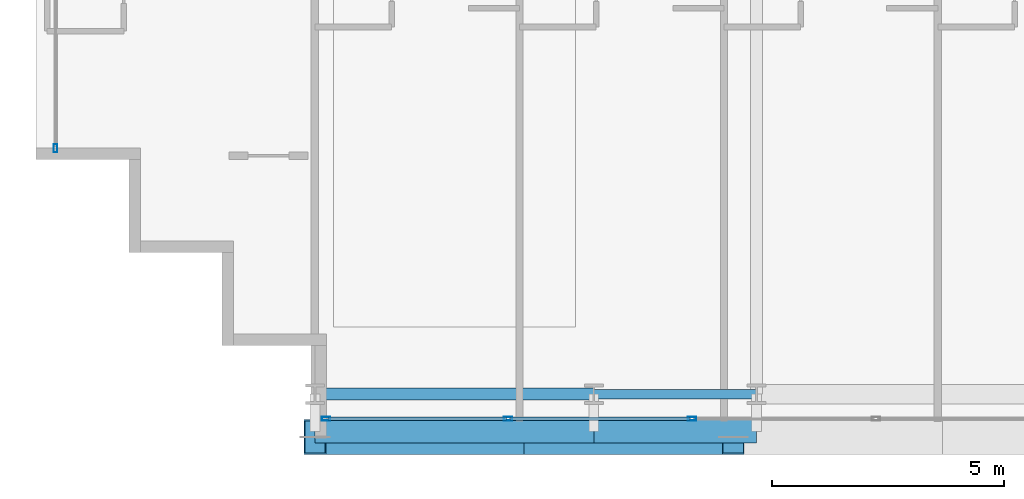
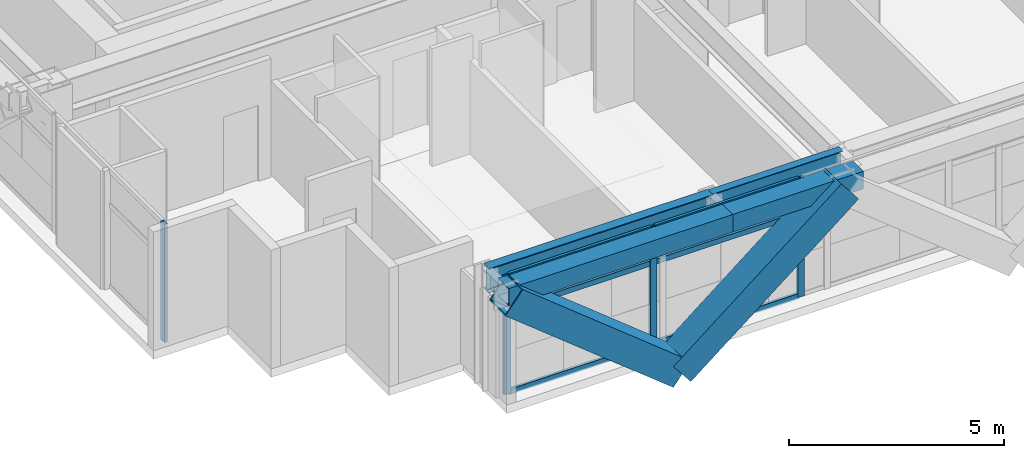
# One storey, part 2 of 35: 12 members, 4 beams, 2 elements without a shape of their own.
"""IFC4 building model written with IfcOpenShell, lengths in metres."""

from ifc_helpers import new_model, si_unit, direction, frame, origin, origin_2d, place, context, subcontext, project, spatial, hollow_rectangle, i_section, extrude, source, transform, mapped, material, layer, layer_set, material_profile, profile_set, type_object, element, aggregate, save


model = new_model("IFC4")

# Units and contexts
model_context = context("Model", 3, precision=1e-05, world=origin(), true_north=direction((0.0, 1.0)))
body_context = subcontext(model_context, "Body", "Model", "MODEL_VIEW")
ifc_project = project(units=[si_unit("LENGTHUNIT", "METRE"), si_unit("AREAUNIT", "SQUARE_METRE"), si_unit("VOLUMEUNIT", "CUBIC_METRE"), si_unit("PLANEANGLEUNIT", "RADIAN"), si_unit("MASSUNIT", "GRAM", prefix="KILO")], contexts=[model_context])

# Site, building, storey
site_placement = place(None, origin())
site = spatial("IfcSite", under=ifc_project, at=site_placement, CompositionType="ELEMENT")
building_placement = place(site_placement, origin())
building = spatial("IfcBuilding", under=site, at=building_placement, Name="Ocotamira Hotel", CompositionType="ELEMENT")
storey_placement = place(building_placement, frame((0.0, 0.0, 100.800048828125)))
storey = spatial("IfcBuildingStorey", under=building, at=storey_placement, Name="L24", CompositionType="ELEMENT", Elevation=100.800048828125)

# Beams
ifc_material_1 = material(Name="Steel ASTM A992 Grade 50", Category="steel")
ifc_material_profile_1 = material_profile(ifc_material_1, i_section(OverallWidth=0.256103515625, OverallDepth=0.693115234375, WebThickness=0.014404296875, FlangeThickness=0.023681640625, FilletRadius=0.01611328125, at=origin_2d()), Name="W27X114")
ifc_profile_set_1 = profile_set([ifc_material_profile_1], Name="Steel ASTM A992 Grade 50")
beam_type_1 = type_object("IfcBeamType", Name="BM-PRIM-W27X114", PredefinedType="BEAM", material=ifc_profile_set_1)
shared_shape_1 = source(origin(), body_context, "Body", "SweptSolid", [
    extrude(i_section(OverallWidth=0.256103515625, OverallDepth=0.693115234375, WebThickness=0.014404296875, FlangeThickness=0.023681640625, FilletRadius=0.01611328125, at=origin_2d()), origin(), (0.0, 0.0, 1.0), 6.0),
])
beam_1_placement = place(storey_placement, frame((14.0, 2.949951171875, 3.013427734375), z_axis=(1.0, 0.0, 0.0), x_axis=(0.0, 1.0, 0.0)))
element("IfcBeam", 1, at=beam_1_placement, inside=storey, type_object=beam_type_1, Name="L24 Girder Y2.95 X14-20", PredefinedType="BEAM", context=body_context, shape_type="MappedRepresentation", body=[
    mapped(shared_shape_1, transform((0.0, 0.0, 0.0), scale=1.0)),
])
ifc_material_profile_2 = material_profile(ifc_material_1, i_section(OverallWidth=0.2099609375, OverallDepth=0.537109375, WebThickness=0.010986328125, FlangeThickness=0.017333984375, FilletRadius=0.012939453125, at=origin_2d()), Name="W21X68")
ifc_profile_set_2 = profile_set([ifc_material_profile_2], Name="Steel ASTM A992 Grade 50")
beam_type_2 = type_object("IfcBeamType", Name="BM-SEC-W21X68", PredefinedType="JOIST", material=ifc_profile_set_2)
shared_shape_2 = source(origin(), body_context, "Body", "SweptSolid", [
    extrude(i_section(OverallWidth=0.2099609375, OverallDepth=0.537109375, WebThickness=0.010986328125, FlangeThickness=0.017333984375, FilletRadius=0.012939453125, at=origin_2d()), origin(), (0.0, 0.0, 1.0), 3.5),
])
beam_2_placement = place(storey_placement, frame((20.0, 2.949951171875, 3.091552734375), z_axis=(1.0, 0.0, 0.0), x_axis=(0.0, 1.0, 0.0)))
element("IfcBeam", 2, at=beam_2_placement, inside=storey, type_object=beam_type_2, Name="L24 Girder Y2.95 X20-23.5", PredefinedType="JOIST", context=body_context, shape_type="MappedRepresentation", body=[
    mapped(shared_shape_2, transform((0.0, 0.0, 0.0), scale=1.0)),
])
ifc_material_2 = material(Name="Steel ASTM A500 Grade C", Category="steel")
ifc_material_profile_3 = material_profile(ifc_material_2, hollow_rectangle(XDim=0.5, YDim=0.5, WallThickness=0.02001953125, at=origin_2d()), Name="HSS500X500X20")
ifc_profile_set_3 = profile_set([ifc_material_profile_3], Name="Steel ASTM A500 Grade C")
beam_type_3 = type_object("IfcBeamType", Name="BM-SPAN-HSS500", PredefinedType="USERDEFINED", material=ifc_profile_set_3)
shared_shape_3 = source(origin(), body_context, "Body", "SweptSolid", [
    extrude(hollow_rectangle(XDim=0.5, YDim=0.5, WallThickness=0.02001953125, at=origin_2d()), origin(), (0.0, 0.0, 1.0), 6.0),
])
beam_3_placement = place(storey_placement, frame((14.0, 2.14990234375, 3.10986328125), z_axis=(1.0, 0.0, 0.0), x_axis=(0.0, 1.0, 0.0)))
element("IfcBeam", 3, at=beam_3_placement, inside=storey, type_object=beam_type_3, Name="L24 Edge Spandrel S X14-20", ObjectType="SPANDREL", PredefinedType="USERDEFINED", context=body_context, shape_type="MappedRepresentation", body=[
    mapped(shared_shape_3, transform((0.0, 0.0, 0.0), scale=1.0)),
])
shared_shape_4 = source(origin(), body_context, "Body", "SweptSolid", [
    extrude(hollow_rectangle(XDim=0.5, YDim=0.5, WallThickness=0.02001953125, at=origin_2d()), origin(), (0.0, 0.0, 1.0), 3.5),
])
beam_4_placement = place(storey_placement, frame((20.0, 2.14990234375, 3.10986328125), z_axis=(1.0, 0.0, 0.0), x_axis=(0.0, 1.0, 0.0)))
element("IfcBeam", 4, at=beam_4_placement, inside=storey, type_object=beam_type_3, Name="L24 Edge Spandrel S X20-23.5", ObjectType="SPANDREL", PredefinedType="USERDEFINED", context=body_context, shape_type="MappedRepresentation", body=[
    mapped(shared_shape_4, transform((0.0, 0.0, 0.0), scale=1.0)),
])

# Members
ifc_material_3 = material(Name="Pale-metal coated steel ASTM A913 Grade 65", Category="steel")
ifc_material_profile_4 = material_profile(ifc_material_3, hollow_rectangle(XDim=0.75, YDim=0.75, WallThickness=0.028076171875, at=origin_2d()), Name="BOX750X750X28")
ifc_profile_set_4 = profile_set([ifc_material_profile_4], Name="Pale-metal coated steel ASTM A913 Grade 65")
member_type_1 = type_object("IfcMemberType", Name="MEM-EXO-BOX750", PredefinedType="BRACE", material=ifc_profile_set_4)
shared_shape_5 = source(origin(), body_context, "Body", "SweptSolid", [
    extrude(hollow_rectangle(XDim=0.75, YDim=0.75, WallThickness=0.028076171875, at=origin_2d()), origin(), (0.0, 0.0, 1.0), 5.7626953125),
])
for number, where, z_axis, x_axis, name in (
    (5, (18.5, 2.030029296875, -0.489990234375), (-0.780881208953, 0.0, 0.624679547852), (0.0, -1.0, 0.0), "L24 Exoskeleton Diagrid S0.1"),
    (6, (18.5, 2.030029296875, -0.489990234375), (0.780881208953, 0.0, 0.624679547852), (0.0, 1.0, 0.0), "L24 Exoskeleton Diagrid S0.2"),
):
    element("IfcMember", number, at=place(storey_placement, frame(where, z_axis=z_axis, x_axis=x_axis)), inside=storey, type_object=member_type_1, Name=name, PredefinedType="BRACE", context=body_context, shape_type="MappedRepresentation", body=[
        mapped(shared_shape_5, transform((0.0, 0.0, 0.0), scale=1.0)),
    ])

# Curtain wall, members
ifc_material_4 = material(Name="Anodised pale-metal aluminium and solar glass", Category="aluminium")
ifc_layer = layer(ifc_material_4, 0.179931640625)
ifc_layer_set = layer_set([ifc_layer], Name="Anodised pale-metal aluminium and solar glass")
curtain_wall_type = type_object("IfcCurtainWallType", Name="CW-SYS3-Z2", PredefinedType="NOTDEFINED", material=ifc_layer_set)
curtain_wall_1_placement = place(storey_placement, origin())
curtain_wall_1 = element("IfcCurtainWall", 7, at=curtain_wall_1_placement, inside=storey, type_object=curtain_wall_type, Name="L24 Curtain Wall CW-3 CW-L24-S1", PredefinedType="NOTDEFINED")
ifc_material_5 = material(Name="Anodised pale-metal aluminium 6063-T6", Category="aluminium")
ifc_material_profile_5 = material_profile(ifc_material_5, hollow_rectangle(XDim=0.074951171875, YDim=0.14990234375, WallThickness=0.006103515625, at=origin_2d()), Name="HSS150X75X6")
ifc_profile_set_5 = profile_set([ifc_material_profile_5], Name="Anodised pale-metal aluminium 6063-T6")
member_type_2 = type_object("IfcMemberType", Name="CWT-150X75", PredefinedType="USERDEFINED", material=ifc_profile_set_5)
shared_shape_6 = source(origin(), body_context, "Body", "SweptSolid", [
    extrude(hollow_rectangle(XDim=0.074951171875, YDim=0.14990234375, WallThickness=0.006103515625, at=origin_2d()), origin(), (0.0, 0.0, 1.0), 3.83544921875),
])
member_1_placement = place(storey_placement, frame((14.280029296875, 2.419921875, 0.037353515625), z_axis=(1.0, 0.0, 0.0), x_axis=(0.0, 1.0, 0.0)))
member_1 = element("IfcMember", 8, at=member_1_placement, type_object=member_type_2, Name="CW-3 transom 1.1", ObjectType="TRANSOM", PredefinedType="USERDEFINED", context=body_context, shape_type="MappedRepresentation", body=[
    mapped(shared_shape_6, transform((0.0, 0.0, 0.0), scale=1.0)),
])
member_2_placement = place(storey_placement, frame((14.280029296875, 2.419921875, 2.349853515625), z_axis=(1.0, 0.0, 0.0), x_axis=(0.0, 1.0, 0.0)))
member_2 = element("IfcMember", 9, at=member_2_placement, type_object=member_type_2, Name="CW-3 transom 1.2", ObjectType="TRANSOM", PredefinedType="USERDEFINED", context=body_context, shape_type="MappedRepresentation", body=[
    mapped(shared_shape_6, transform((0.0, 0.0, 0.0), scale=1.0)),
])
member_3_placement = place(storey_placement, frame((14.280029296875, 2.419921875, 3.322509765625), z_axis=(1.0, 0.0, 0.0), x_axis=(0.0, 1.0, 0.0)))
member_3 = element("IfcMember", 10, at=member_3_placement, type_object=member_type_2, Name="CW-3 transom 1.3", ObjectType="TRANSOM", PredefinedType="USERDEFINED", context=body_context, shape_type="MappedRepresentation", body=[
    mapped(shared_shape_6, transform((0.0, 0.0, 0.0), scale=1.0)),
])
shared_shape_7 = source(origin(), body_context, "Body", "SweptSolid", [
    extrude(hollow_rectangle(XDim=0.074951171875, YDim=0.14990234375, WallThickness=0.006103515625, at=origin_2d()), origin(), (0.0, 0.0, 1.0), 3.87548828125),
])
member_4_placement = place(storey_placement, frame((18.195556640625, 2.419921875, 0.037353515625), z_axis=(1.0, 0.0, 0.0), x_axis=(0.0, 1.0, 0.0)))
member_4 = element("IfcMember", 11, at=member_4_placement, type_object=member_type_2, Name="CW-3 transom 2.1", ObjectType="TRANSOM", PredefinedType="USERDEFINED", context=body_context, shape_type="MappedRepresentation", body=[
    mapped(shared_shape_7, transform((0.0, 0.0, 0.0), scale=1.0)),
])
member_5_placement = place(storey_placement, frame((18.195556640625, 2.419921875, 2.349853515625), z_axis=(1.0, 0.0, 0.0), x_axis=(0.0, 1.0, 0.0)))
member_5 = element("IfcMember", 12, at=member_5_placement, type_object=member_type_2, Name="CW-3 transom 2.2", ObjectType="TRANSOM", PredefinedType="USERDEFINED", context=body_context, shape_type="MappedRepresentation", body=[
    mapped(shared_shape_7, transform((0.0, 0.0, 0.0), scale=1.0)),
])
member_6_placement = place(storey_placement, frame((18.195556640625, 2.419921875, 3.322509765625), z_axis=(1.0, 0.0, 0.0), x_axis=(0.0, 1.0, 0.0)))
member_6 = element("IfcMember", 13, at=member_6_placement, type_object=member_type_2, Name="CW-3 transom 2.3", ObjectType="TRANSOM", PredefinedType="USERDEFINED", context=body_context, shape_type="MappedRepresentation", body=[
    mapped(shared_shape_7, transform((0.0, 0.0, 0.0), scale=1.0)),
])
ifc_material_profile_6 = material_profile(ifc_material_5, hollow_rectangle(XDim=0.080078125, YDim=0.179931640625, WallThickness=0.006103515625, at=origin_2d()), Name="HSS180X80X6")
ifc_profile_set_6 = profile_set([ifc_material_profile_6], Name="Anodised pale-metal aluminium 6063-T6")
member_type_3 = type_object("IfcMemberType", Name="CWM-180X75", PredefinedType="MULLION", material=ifc_profile_set_6)
shared_shape_8 = source(origin(), body_context, "Body", "SweptSolid", [
    extrude(hollow_rectangle(XDim=0.080078125, YDim=0.179931640625, WallThickness=0.006103515625, at=origin_2d()), origin(), (0.0, 0.0, 1.0), 3.35986328125),
])
member_7_placement = place(storey_placement, frame((14.239990234375, 2.419921875, 0.0), z_axis=(0.0, 0.0, 1.0), x_axis=(0.0, 1.0, 0.0)))
member_7 = element("IfcMember", 14, at=member_7_placement, type_object=member_type_3, Name="CW-3 mullion 1", PredefinedType="MULLION", context=body_context, shape_type="MappedRepresentation", body=[
    mapped(shared_shape_8, transform((0.0, 0.0, 0.0), scale=1.0)),
])
member_8_placement = place(storey_placement, frame((18.155517578125, 2.419921875, 0.0), z_axis=(0.0, 0.0, 1.0), x_axis=(0.0, 1.0, 0.0)))
member_8 = element("IfcMember", 15, at=member_8_placement, type_object=member_type_3, Name="CW-3 mullion 2", PredefinedType="MULLION", context=body_context, shape_type="MappedRepresentation", body=[
    mapped(shared_shape_8, transform((0.0, 0.0, 0.0), scale=1.0)),
])
member_9_placement = place(storey_placement, frame((22.111083984375, 2.419921875, 0.0), z_axis=(0.0, 0.0, 1.0), x_axis=(0.0, 1.0, 0.0)))
member_9 = element("IfcMember", 16, at=member_9_placement, type_object=member_type_3, Name="CW-3 mullion 3", PredefinedType="MULLION", context=body_context, shape_type="MappedRepresentation", body=[
    mapped(shared_shape_8, transform((0.0, 0.0, 0.0), scale=1.0)),
])
aggregate(curtain_wall_1, [member_7, member_8, member_9, member_1, member_2, member_3, member_4, member_5, member_6])

# Curtain wall, member
curtain_wall_2_placement = place(storey_placement, origin())
curtain_wall_2 = element("IfcCurtainWall", 17, at=curtain_wall_2_placement, inside=storey, type_object=curtain_wall_type, Name="L24 Curtain Wall CW-3 CW-L24-W", PredefinedType="NOTDEFINED")
member_10_placement = place(storey_placement, frame((8.419921875, 8.239990234375, 0.0), z_axis=(0.0, 0.0, 1.0), x_axis=(-1.0, 0.0, 0.0)))
member_10 = element("IfcMember", 18, at=member_10_placement, type_object=member_type_3, Name="CW-3 mullion 1", PredefinedType="MULLION", context=body_context, shape_type="MappedRepresentation", body=[
    mapped(shared_shape_8, transform((0.0, 0.0, 0.0), scale=1.0)),
])
aggregate(curtain_wall_2, [member_10])

save(model, "model.ifc")
